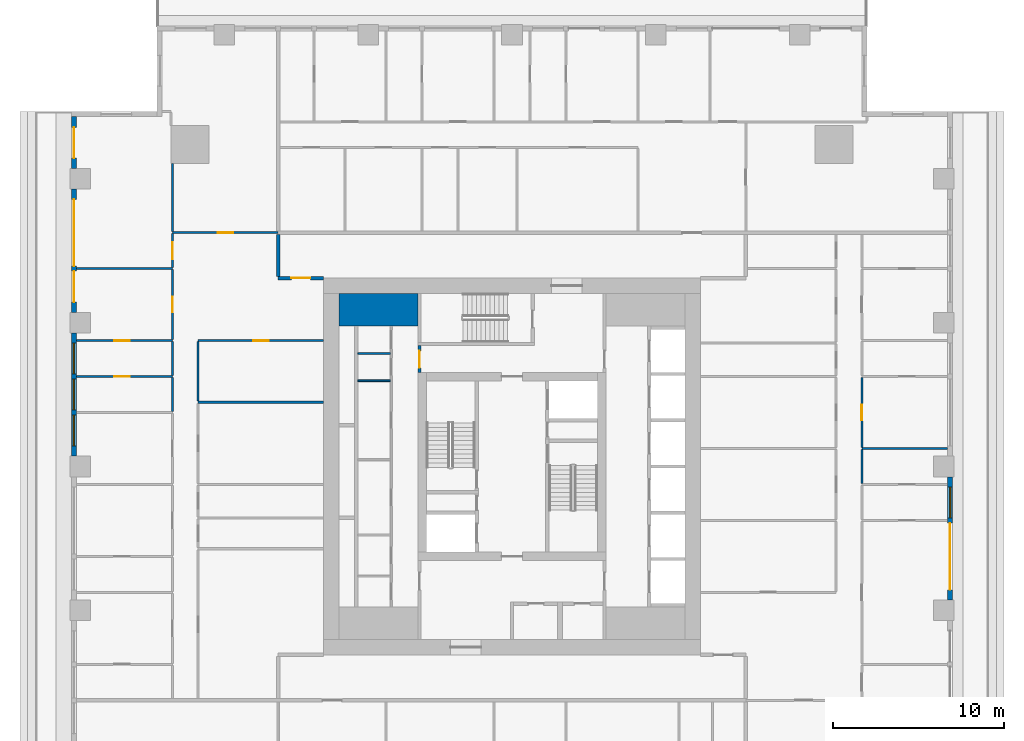
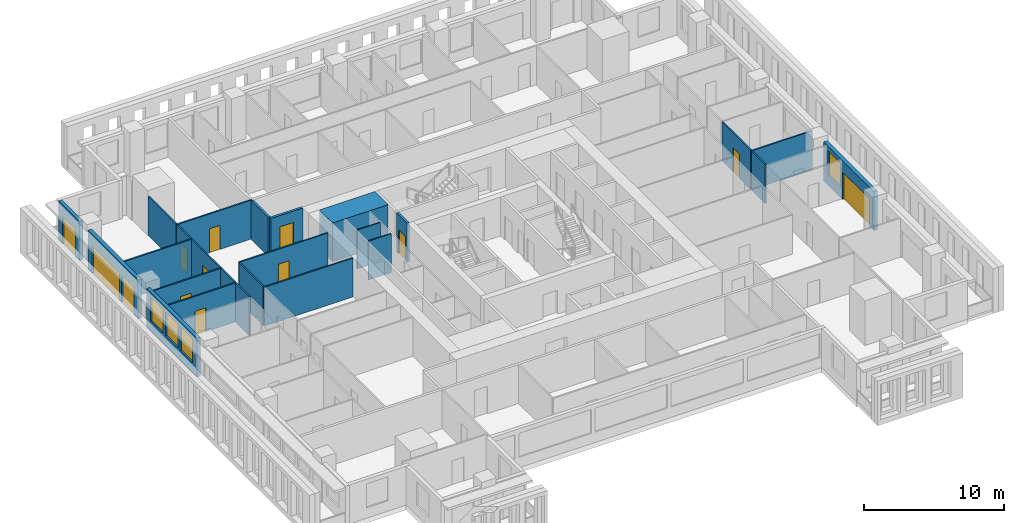
# One storey, part 6 of 14: 25 walls, 13 doors, 4 windows, 17 openings.
"""IFC4 building model written with IfcOpenShell, lengths in metres."""

import ifcopenshell
import ifcopenshell.guid

model = None  # the IFC model being written
_history = None  # IfcOwnerHistory: only IFC2X3 demands one
_inside = {}  # id of a spatial element -> (the spatial element, [elements in it])
_under = {}  # id of a project, library or spatial element -> (it, [spatial elements below it])
_declared = {}  # id of a project -> (the project, [libraries it declares])
_typed = {}  # id of a type object -> (the type object, [elements of that type])
_made_of = {}  # id of a material, layer set ... -> (it, [elements and type objects made of it])


def new_model(schema):
    """Start an empty IFC model of exactly this schema.

    Asked for "IFC4X3", IfcOpenShell would pick the latest addendum, in which some entities
    have other attributes; the version numbers below select the first issue.
    IFC2X3 requires an IfcOwnerHistory on every rooted entity: one is made here for all.
    """
    global model, _history
    if schema == "IFC4X3":
        model = ifcopenshell.file(schema_version=(4, 3, 0, 0))
    else:
        model = ifcopenshell.file(schema=schema)
    _inside.clear()
    _under.clear()
    _declared.clear()
    _typed.clear()
    _made_of.clear()
    _history = None
    if model.schema == "IFC2X3":
        org = make("IfcOrganization", Name="unknown")
        user = make(
            "IfcPersonAndOrganization",
            ThePerson=make("IfcPerson", FamilyName="unknown"),
            TheOrganization=org,
        )
        app = make(
            "IfcApplication",
            ApplicationDeveloper=org,
            Version="unknown",
            ApplicationFullName="unknown",
            ApplicationIdentifier="unknown",
        )
        _history = make(
            "IfcOwnerHistory",
            OwningUser=user,
            OwningApplication=app,
            ChangeAction="ADDED",
            CreationDate=0,
        )
    return model


def make(cls, **values):
    """One entity of the class cls with the attributes given. An attribute that is None is left unset."""
    return model.create_entity(
        cls, **{name: value for name, value in values.items() if value is not None}
    )


def rooted(cls, **values):
    """An entity with a GlobalId (a new one), such as an element, a storey or a relation."""
    return make(cls, GlobalId=ifcopenshell.guid.new(), OwnerHistory=_history, **values)


def si_unit(unit_type, name, prefix=None):
    """IfcSIUnit, for example si_unit("LENGTHUNIT", "METRE", prefix="MILLI")."""
    return make("IfcSIUnit", UnitType=unit_type, Prefix=prefix, Name=name)


def assignment(units):
    """IfcUnitAssignment: the units of a project."""
    return None if units is None else make("IfcUnitAssignment", Units=units)


def point(xyz):
    """IfcCartesianPoint."""
    return None if xyz is None else make("IfcCartesianPoint", Coordinates=xyz)


def direction(xyz):
    """IfcDirection."""
    return None if xyz is None else make("IfcDirection", DirectionRatios=xyz)


def frame(location, z_axis=None, x_axis=None):
    """IfcAxis2Placement3D, a coordinate frame: its origin and axes. An axis left out is left unset."""
    return make(
        "IfcAxis2Placement3D",
        Location=point(location),
        Axis=direction(z_axis),
        RefDirection=direction(x_axis),
    )


def frame_2d(location, x_axis=None):
    """IfcAxis2Placement2D, a coordinate frame in the plane: its origin and x axis."""
    return make(
        "IfcAxis2Placement2D", Location=point(location), RefDirection=direction(x_axis)
    )


def origin():
    """The frame at (0, 0, 0) with its axes left unset."""
    return frame((0.0, 0.0, 0.0))


def place(relative_to, where):
    """IfcLocalPlacement: puts the frame where relative to a parent placement (None: the world)."""
    return make(
        "IfcLocalPlacement", PlacementRelTo=relative_to, RelativePlacement=where
    )


def context(
    kind, dimensions, precision=None, world=None, true_north=None, identifier=None
):
    """IfcGeometricRepresentationContext, for example the 3D "Model" context."""
    return make(
        "IfcGeometricRepresentationContext",
        ContextIdentifier=identifier,
        ContextType=kind,
        CoordinateSpaceDimension=dimensions,
        Precision=precision,
        WorldCoordinateSystem=world,
        TrueNorth=true_north,
    )


def subcontext(parent, identifier, kind, view, scale=None):
    """IfcGeometricRepresentationSubContext, for example "Body" below "Model"."""
    return make(
        "IfcGeometricRepresentationSubContext",
        ContextIdentifier=identifier,
        ContextType=kind,
        ParentContext=parent,
        TargetScale=scale,
        TargetView=view,
    )


def project(units=None, contexts=None):
    """IfcProject with its units and contexts."""
    return rooted(
        "IfcProject",
        Name="project",
        RepresentationContexts=contexts,
        UnitsInContext=assignment(units),
    )


def spatial(cls, under=None, at=None, **own):
    """A site, building, storey or space (cls), placed at a placement, below another one or the project."""
    s = rooted(cls, ObjectPlacement=at, **own)
    if under is not None:
        _under.setdefault(under.id(), (under, []))[1].append(s)
    return s


def profile(cls, at=None, kind="AREA", **sizes):
    """A parametric profile (cls). Its sizes go by their IFC names, for example OverallWidth=200.0."""
    return make(cls, ProfileType=kind, Position=at, **sizes)


def rectangle(**sizes):
    """IfcRectangleProfileDef."""
    return profile("IfcRectangleProfileDef", **sizes)


def extrude(swept, where, along, depth):
    """IfcExtrudedAreaSolid: the profile swept, set in the frame where, extruded along a direction by depth."""
    return make(
        "IfcExtrudedAreaSolid",
        SweptArea=swept,
        Position=where,
        ExtrudedDirection=direction(along),
        Depth=depth,
    )


def shape(context_of_items, identifier, shape_type, items):
    """IfcShapeRepresentation: the items that make up one representation, for example the "Body"."""
    return make(
        "IfcShapeRepresentation",
        ContextOfItems=context_of_items,
        RepresentationIdentifier=identifier,
        RepresentationType=shape_type,
        Items=items,
    )


def material(Name=None, Category=None):
    """IfcMaterial."""
    return make("IfcMaterial", Name=Name, Category=Category)


def layer(
    of_material, thickness, ventilated=None, Name=None, Category=None, Priority=None
):
    """IfcMaterialLayer: one layer of a wall or slab, of a material (None: an air gap)."""
    return make(
        "IfcMaterialLayer",
        Material=of_material,
        LayerThickness=thickness,
        IsVentilated=ventilated,
        Name=Name,
        Category=Category,
        Priority=Priority,
    )


def layer_set(layers, Name=None):
    """IfcMaterialLayerSet."""
    return make("IfcMaterialLayerSet", MaterialLayers=layers, LayerSetName=Name)


def made_of(thing, what):
    """Note that an element or type object is made of a material, layer set ...; save() writes the relation."""
    if what is not None:
        _made_of.setdefault(what.id(), (what, []))[1].append(thing)
    return thing


def type_object(cls, material=None, **own):
    """A type object (cls), such as IfcWallType, which elements share."""
    return made_of(rooted(cls, **own), material)


def element(
    cls,
    number,
    at=None,
    inside=None,
    cuts=None,
    type_object=None,
    material=None,
    context=None,
    identifier="Body",
    shape_type=None,
    held_by="IfcProductDefinitionShape",
    body=None,
    shapes=None,
    **own,
):
    """One element of the class cls, such as IfcWall. Its Tag is "e" and its number.

    at: its placement. inside: the storey or other place that contains it. cuts: it is an
    opening in that element (IfcRelVoidsElement). A single representation is given by context,
    identifier, shape_type and body (its items); several are given by shapes. held_by: the class
    of the entity that holds the representations. save() writes the other relations.
    """
    e = rooted(cls, Tag="e%d" % number, ObjectPlacement=at, **own)
    if body is not None:
        shapes = [shape(context, identifier, shape_type, body)]
    if shapes is not None:
        e.Representation = make(held_by, Representations=shapes)
    if inside is not None:
        _inside.setdefault(inside.id(), (inside, []))[1].append(e)
    if cuts is not None:
        rooted(
            "IfcRelVoidsElement", RelatingBuildingElement=cuts, RelatedOpeningElement=e
        )
    if type_object is not None:
        _typed.setdefault(type_object.id(), (type_object, []))[1].append(e)
    return made_of(e, material)


def fill(opening, filler):
    """IfcRelFillsElement: the door or window that sits in an opening."""
    return rooted(
        "IfcRelFillsElement",
        RelatingOpeningElement=opening,
        RelatedBuildingElement=filler,
    )


def aggregate(whole, parts):
    """IfcRelAggregates: a whole, such as a stair, and the parts it consists of."""
    return rooted("IfcRelAggregates", RelatingObject=whole, RelatedObjects=parts)


def save(model, path):
    """Write the relations noted so far, then the file.

    IfcRelAggregates (storeys below a building ...), IfcRelContainedInSpatialStructure (elements
    in a storey), IfcRelDefinesByType, IfcRelAssociatesMaterial and IfcRelDeclares: one each for
    every whole, place, type object, material and project.
    """
    for whole, parts in _under.values():
        aggregate(whole, parts)
    for where, things in _inside.values():
        rooted(
            "IfcRelContainedInSpatialStructure",
            RelatedElements=things,
            RelatingStructure=where,
        )
    for kind, things in _typed.values():
        rooted("IfcRelDefinesByType", RelatedObjects=things, RelatingType=kind)
    for what, things in _made_of.values():
        rooted("IfcRelAssociatesMaterial", RelatedObjects=things, RelatingMaterial=what)
    for by, libraries in _declared.values():
        rooted("IfcRelDeclares", RelatingContext=by, RelatedDefinitions=libraries)
    model.write(path)


model = new_model("IFC4")

# Units and contexts
model_context = context("Model", 3, precision=1e-05, world=origin(), true_north=direction((0.0, 1.0)))
body_context = subcontext(model_context, "Body", "Model", "MODEL_VIEW")
ifc_project = project(units=[si_unit("LENGTHUNIT", "METRE"), si_unit("AREAUNIT", "SQUARE_METRE"), si_unit("VOLUMEUNIT", "CUBIC_METRE"), si_unit("PLANEANGLEUNIT", "RADIAN"), si_unit("MASSUNIT", "GRAM", prefix="KILO")], contexts=[model_context])

# Site, building, storey
site_placement = place(None, origin())
site = spatial("IfcSite", under=ifc_project, at=site_placement, CompositionType="ELEMENT")
building_placement = place(site_placement, origin())
building = spatial("IfcBuilding", under=site, at=building_placement, Name="Khepri Terraces", CompositionType="ELEMENT")
storey_placement = place(building_placement, frame((0.0, 0.0, 283.5)))
storey = spatial("IfcBuildingStorey", under=building, at=storey_placement, Name="L68", CompositionType="ELEMENT", Elevation=283.5)

# Walls
ifc_material_1 = material(Name="Concrete C40/50", Category="concrete")
ifc_layer_1 = layer(ifc_material_1, 1.89990234375, Name="Concrete C40/50", Category="concrete")
ifc_layer_set_1 = layer_set([ifc_layer_1], Name="Concrete C40/50")
wall_type_1 = type_object("IfcWallType", Name="Core wall 1900 C40/50", PredefinedType="SHEAR", material=ifc_layer_set_1)
wall_1_placement = place(storey_placement, frame((-10.10009765625, 9.14990234375, 0.0), z_axis=(0.0, 0.0, 1.0), x_axis=(1.0, 0.0, 0.0)))
element("IfcWall", 1, at=wall_1_placement, inside=storey, type_object=wall_type_1, Name="Core wall PR03 L68", PredefinedType="SHEAR", context=body_context, shape_type="SweptSolid", body=[
    extrude(rectangle(XDim=4.60009765625, YDim=1.89990234375, at=frame_2d((2.300048828125, 0.0))), origin(), (0.0, 0.0, 1.0), 3.39990234375),
])
ifc_material_2 = material(Name="Fire-rated gypsum board partition")
ifc_layer_2 = layer(ifc_material_2, 0.10009765625, Name="Fire-rated gypsum board partition")
ifc_layer_set_2 = layer_set([ifc_layer_2], Name="Fire-rated gypsum board partition")
wall_type_2 = type_object("IfcWallType", Name="WL-CORE-PART-100", PredefinedType="PARTITIONING", material=ifc_layer_set_2)
for number, where, z_axis, x_axis, name in (
    (2, (-9.0, 5.0, 0.0), (0.0, 0.0, 1.0), (1.0, 0.0, 0.0), "Core partition PT11 L68"),
    (3, (-9.0, 6.60009765625, 0.0), (0.0, 0.0, 1.0), (1.0, 0.0, 0.0), "Core partition PT14 L68"),
):
    element("IfcWall", number, at=place(storey_placement, frame(where, z_axis=z_axis, x_axis=x_axis)), inside=storey, type_object=wall_type_2, Name=name, PredefinedType="PARTITIONING", context=body_context, shape_type="SweptSolid", body=[
        extrude(rectangle(XDim=1.89990234375, YDim=0.10009765625, at=frame_2d((0.949951171875, 0.0))), origin(), (0.0, 0.0, 1.0), 3.39990234375),
    ])

# Wall, opening, door
ifc_layer_3 = layer(ifc_material_2, 0.199951171875, Name="Fire-rated gypsum board partition")
ifc_layer_set_3 = layer_set([ifc_layer_3], Name="Fire-rated gypsum board partition")
wall_type_3 = type_object("IfcWallType", Name="WL-CORE-PART-200", PredefinedType="PARTITIONING", material=ifc_layer_set_3)
wall_2_placement = place(storey_placement, frame((-5.39990234375, 5.5, 0.0), z_axis=(0.0, 0.0, 1.0), x_axis=(0.0, 1.0, 0.0)))
wall_2 = element("IfcWall", 4, at=wall_2_placement, inside=storey, type_object=wall_type_3, Name="Core partition PT12 L68", PredefinedType="PARTITIONING", context=body_context, shape_type="SweptSolid", body=[
    extrude(rectangle(XDim=1.550048828125, YDim=0.199951171875, at=frame_2d((0.77490234375, 0.0))), origin(), (0.0, 0.0, 1.0), 3.39990234375),
])
opening_1_placement = place(wall_2_placement, frame((0.25, 0.0, 0.0)))
opening_1 = element("IfcOpeningElement", 5, at=opening_1_placement, cuts=wall_2, Name="Opening L68-C16", PredefinedType="OPENING", context=body_context, shape_type="SweptSolid", body=[
    extrude(rectangle(XDim=1.0, YDim=2.10009765625, at=frame_2d((0.5, 1.050048828125))), frame((0.0, 0.10986328125, 0.0), z_axis=(0.0, -1.0, 0.0), x_axis=(1.0, 0.0, 0.0)), (0.0, 0.0, 1.0), 0.219970703125),
])
ifc_material_3 = material(Name="Painted steel", Category="steel")
door_type_1 = type_object("IfcDoorType", Name="DR-CORE-LOBBY-1000", OperationType="NOTDEFINED", PredefinedType="DOOR", material=ifc_material_3)
door_1_placement = place(opening_1_placement, frame((1.0, 0.0, 0.0), z_axis=(0.0, 0.0, 1.0), x_axis=(-1.0, 0.0, 0.0)))
door_1 = element("IfcDoor", 6, at=door_1_placement, inside=storey, type_object=door_type_1, Name="Lobby door L68-C16", OperationType="SINGLE_SWING_RIGHT", OverallHeight=2.10009765625, OverallWidth=1.0, PredefinedType="DOOR", context=body_context, shape_type="SweptSolid", body=[
    extrude(rectangle(XDim=1.0, YDim=2.10009765625, at=frame_2d((0.5, 1.050048828125))), frame((0.0, 0.02490234375, 0.0), z_axis=(0.0, -1.0, 0.0), x_axis=(1.0, 0.0, 0.0)), (0.0, 0.0, 1.0), 0.050048828125),
])
fill(opening_1, door_1)

ifc_material_4 = material(Name="Fire-rated gypsum plasterboard partition, mineral wool")
ifc_layer_4 = layer(ifc_material_4, 0.199951171875, Name="Fire-rated gypsum plasterboard partition, mineral wool")
ifc_layer_set_4 = layer_set([ifc_layer_4], Name="Fire-rated gypsum plasterboard partition, mineral wool")
wall_type_4 = type_object("IfcWallType", Name="WL-CORR-200", PredefinedType="PARTITIONING", material=ifc_layer_set_4)
wall_3_placement = place(storey_placement, frame((-13.64990234375, 11.0, 0.0), z_axis=(0.0, 0.0, 1.0), x_axis=(1.0, 0.0, 0.0)))
wall_3 = element("IfcWall", 7, at=wall_3_placement, inside=storey, type_object=wall_type_4, Name="Partition P-068 L68", PredefinedType="PARTITIONING", context=body_context, shape_type="SweptSolid", body=[
    extrude(rectangle(XDim=2.64990234375, YDim=0.199951171875, at=frame_2d((1.324951171875, 0.0))), origin(), (0.0, 0.0, 1.0), 3.39990234375),
])
opening_2_placement = place(wall_3_placement, frame((0.77490234375, 0.0, 0.0)))
opening_2 = element("IfcOpeningElement", 8, at=opening_2_placement, cuts=wall_3, Name="Opening D1", PredefinedType="OPENING", context=body_context, shape_type="SweptSolid", body=[
    extrude(rectangle(XDim=1.10009765625, YDim=2.39990234375, at=frame_2d((0.550048828125, 1.199951171875))), frame((0.0, 0.10986328125, 0.0), z_axis=(0.0, -1.0, 0.0), x_axis=(1.0, 0.0, 0.0)), (0.0, 0.0, 1.0), 0.219970703125),
])
ifc_material_5 = material(Name="Solid-core timber door leaf, flat entrance door", Category="wood")
door_type_2 = type_object("IfcDoorType", Name="DR-ENT-1100", OperationType="NOTDEFINED", PredefinedType="DOOR", material=ifc_material_5)
door_2_placement = place(opening_2_placement, frame((1.10009765625, 0.0, 0.0), z_axis=(0.0, 0.0, 1.0), x_axis=(-1.0, 0.0, 0.0)))
door_2 = element("IfcDoor", 9, at=door_2_placement, inside=storey, type_object=door_type_2, Name="Flat D1 entrance door", OperationType="SINGLE_SWING_LEFT", OverallHeight=2.39990234375, OverallWidth=1.10009765625, PredefinedType="DOOR", context=body_context, shape_type="SweptSolid", body=[
    extrude(rectangle(XDim=1.10009765625, YDim=2.39990234375, at=frame_2d((0.550048828125, 1.199951171875))), frame((0.0, 0.02490234375, 0.0), z_axis=(0.0, -1.0, 0.0), x_axis=(1.0, 0.0, 0.0)), (0.0, 0.0, 1.0), 0.050048828125),
])
fill(opening_2, door_2)

# Wall
wall_4_placement = place(storey_placement, frame((-13.64990234375, 11.10009765625, 0.0), z_axis=(0.0, 0.0, 1.0), x_axis=(0.0, 1.0, 0.0)))
element("IfcWall", 10, at=wall_4_placement, inside=storey, type_object=wall_type_4, Name="Partition P-070 L68", PredefinedType="PARTITIONING", context=body_context, shape_type="SweptSolid", body=[
    extrude(rectangle(XDim=2.449951171875, YDim=0.199951171875, at=frame_2d((1.22509765625, 0.0))), origin(), (0.0, 0.0, 1.0), 3.39990234375),
])

# Wall, openings, door, window
ifc_material_6 = material(Name="Precast concrete C50/60 warm stone", Category="masonry")
ifc_layer_5 = layer(ifc_material_6, 0.300048828125, Name="Precast concrete C50/60 warm stone", Category="masonry")
ifc_layer_set_5 = layer_set([ifc_layer_5], Name="Precast concrete C50/60 warm stone")
wall_type_5 = type_object("IfcWallType", Name="WL-EXT-PRECAST-300", PredefinedType="STANDARD", material=ifc_layer_set_5)
wall_5_placement = place(storey_placement, frame((25.570068359375, -7.800048828125, 0.0), z_axis=(0.0, 0.0, 1.0), x_axis=(0.0, 1.0, 0.0)))
wall_5 = element("IfcWall", 11, at=wall_5_placement, inside=storey, type_object=wall_type_5, Name="External wall L68 E", PredefinedType="STANDARD", context=body_context, shape_type="SweptSolid", body=[
    extrude(rectangle(XDim=7.199951171875, YDim=0.300048828125, at=frame_2d((3.60009765625, 0.0))), origin(), (0.0, 0.0, 1.0), 3.39990234375),
])
opening_3_placement = place(wall_5_placement, frame((0.60009765625, 0.0, 0.0)))
opening_3 = element("IfcOpeningElement", 12, at=opening_3_placement, cuts=wall_5, Name="Opening ED-L68-04", PredefinedType="OPENING", context=body_context, shape_type="SweptSolid", body=[
    extrude(rectangle(XDim=3.89990234375, YDim=2.39990234375, at=frame_2d((1.949951171875, 1.199951171875))), frame((0.0, 0.16015625, 0.0), z_axis=(0.0, -1.0, 0.0), x_axis=(1.0, 0.0, 0.0)), (0.0, 0.0, 1.0), 0.320068359375),
])
opening_4_placement = place(wall_5_placement, frame((4.800048828125, 0.0, 0.89990234375)))
opening_4 = element("IfcOpeningElement", 13, at=opening_4_placement, cuts=wall_5, Name="Opening W1", PredefinedType="OPENING", context=body_context, shape_type="SweptSolid", body=[
    extrude(rectangle(XDim=1.800048828125, YDim=2.10009765625, at=frame_2d((0.89990234375, 1.050048828125))), frame((0.0, 0.16015625, 0.0), z_axis=(0.0, -1.0, 0.0), x_axis=(1.0, 0.0, 0.0)), (0.0, 0.0, 1.0), 0.320068359375),
])
ifc_material_7 = material(Name="Anodised aluminium bronze glazed door", Category="aluminium")
door_type_3 = type_object("IfcDoorType", Name="DR-BAL-SLIDE-3900x2400", OperationType="NOTDEFINED", PredefinedType="DOOR", material=ifc_material_7)
door_3_placement = place(opening_3_placement, origin())
door_3 = element("IfcDoor", 14, at=door_3_placement, inside=storey, type_object=door_type_3, Name="Balcony door L68 E", OperationType="SLIDING_TO_LEFT", OverallHeight=2.39990234375, OverallWidth=3.89990234375, PredefinedType="DOOR", context=body_context, shape_type="SweptSolid", body=[
    extrude(rectangle(XDim=3.89990234375, YDim=2.39990234375, at=frame_2d((1.949951171875, 1.199951171875))), frame((0.0, 0.02490234375, 0.0), z_axis=(0.0, -1.0, 0.0), x_axis=(1.0, 0.0, 0.0)), (0.0, 0.0, 1.0), 0.050048828125),
])
fill(opening_3, door_3)
ifc_material_8 = material(Name="Clear glass", Category="glass")
window_type = type_object("IfcWindowType", Name="WIN-RES-1800x2100", PartitioningType="SINGLE_PANEL", PredefinedType="WINDOW", material=ifc_material_8)
window_1_placement = place(opening_4_placement, origin())
window_1 = element("IfcWindow", 15, at=window_1_placement, inside=storey, type_object=window_type, Name="Window L68 E", OverallHeight=2.10009765625, OverallWidth=1.800048828125, PartitioningType="SINGLE_PANEL", PredefinedType="WINDOW", context=body_context, shape_type="SweptSolid", body=[
    extrude(rectangle(XDim=1.800048828125, YDim=2.10009765625, at=frame_2d((0.89990234375, 1.050048828125))), frame((0.0, 0.030029296875, 0.0), z_axis=(0.0, -1.0, 0.0), x_axis=(1.0, 0.0, 0.0)), (0.0, 0.0, 1.0), 0.06005859375),
])
fill(opening_4, window_1)

# Wall, opening, door
wall_6_placement = place(storey_placement, frame((-25.570068359375, 20.419921875, 0.0), z_axis=(0.0, 0.0, 1.0), x_axis=(0.0, -1.0, 0.0)))
wall_6 = element("IfcWall", 16, at=wall_6_placement, inside=storey, type_object=wall_type_5, Name="External wall L68 W", PredefinedType="STANDARD", context=body_context, shape_type="SweptSolid", body=[
    extrude(rectangle(XDim=3.02001953125, YDim=0.300048828125, at=frame_2d((1.510009765625, 0.0))), origin(), (0.0, 0.0, 1.0), 3.39990234375),
])
opening_5_placement = place(wall_6_placement, frame((0.6201171875, 0.0, 0.0)))
opening_5 = element("IfcOpeningElement", 17, at=opening_5_placement, cuts=wall_6, Name="Opening ED-L68-08", PredefinedType="OPENING", context=body_context, shape_type="SweptSolid", body=[
    extrude(rectangle(XDim=1.800048828125, YDim=2.39990234375, at=frame_2d((0.89990234375, 1.199951171875))), frame((0.0, 0.16015625, 0.0), z_axis=(0.0, -1.0, 0.0), x_axis=(1.0, 0.0, 0.0)), (0.0, 0.0, 1.0), 0.320068359375),
])
door_type_4 = type_object("IfcDoorType", Name="DR-BAL-SLIDE-1800x2400", OperationType="NOTDEFINED", PredefinedType="DOOR", material=ifc_material_7)
door_4_placement = place(opening_5_placement, origin())
door_4 = element("IfcDoor", 18, at=door_4_placement, inside=storey, type_object=door_type_4, Name="Balcony door L68 W", OperationType="SLIDING_TO_RIGHT", OverallHeight=2.39990234375, OverallWidth=1.800048828125, PredefinedType="DOOR", context=body_context, shape_type="SweptSolid", body=[
    extrude(rectangle(XDim=1.800048828125, YDim=2.39990234375, at=frame_2d((0.89990234375, 1.199951171875))), frame((0.0, 0.02490234375, 0.0), z_axis=(0.0, -1.0, 0.0), x_axis=(1.0, 0.0, 0.0)), (0.0, 0.0, 1.0), 0.050048828125),
])
fill(opening_5, door_4)

# Wall, openings, doors
wall_7_placement = place(storey_placement, frame((-25.570068359375, 16.199951171875, 0.0), z_axis=(0.0, 0.0, 1.0), x_axis=(0.0, -1.0, 0.0)))
wall_7 = element("IfcWall", 19, at=wall_7_placement, inside=storey, type_object=wall_type_5, Name="External wall L68 W", PredefinedType="STANDARD", context=body_context, shape_type="SweptSolid", body=[
    extrude(rectangle(XDim=7.199951171875, YDim=0.300048828125, at=frame_2d((3.60009765625, 0.0))), origin(), (0.0, 0.0, 1.0), 3.39990234375),
])
opening_6_placement = place(wall_7_placement, frame((0.60009765625, 0.0, 0.0)))
opening_6 = element("IfcOpeningElement", 20, at=opening_6_placement, cuts=wall_7, Name="Opening ED-L68-09", PredefinedType="OPENING", context=body_context, shape_type="SweptSolid", body=[
    extrude(rectangle(XDim=3.89990234375, YDim=2.39990234375, at=frame_2d((1.949951171875, 1.199951171875))), frame((0.0, 0.16015625, 0.0), z_axis=(0.0, -1.0, 0.0), x_axis=(1.0, 0.0, 0.0)), (0.0, 0.0, 1.0), 0.320068359375),
])
opening_7_placement = place(wall_7_placement, frame((4.800048828125, 0.0, 0.0)))
opening_7 = element("IfcOpeningElement", 21, at=opening_7_placement, cuts=wall_7, Name="Opening ED-L68-10", PredefinedType="OPENING", context=body_context, shape_type="SweptSolid", body=[
    extrude(rectangle(XDim=1.800048828125, YDim=2.39990234375, at=frame_2d((0.89990234375, 1.199951171875))), frame((0.0, 0.16015625, 0.0), z_axis=(0.0, -1.0, 0.0), x_axis=(1.0, 0.0, 0.0)), (0.0, 0.0, 1.0), 0.320068359375),
])
door_5_placement = place(opening_7_placement, origin())
door_5 = element("IfcDoor", 22, at=door_5_placement, inside=storey, type_object=door_type_4, Name="Balcony door L68 W", OperationType="SLIDING_TO_RIGHT", OverallHeight=2.39990234375, OverallWidth=1.800048828125, PredefinedType="DOOR", context=body_context, shape_type="SweptSolid", body=[
    extrude(rectangle(XDim=1.800048828125, YDim=2.39990234375, at=frame_2d((0.89990234375, 1.199951171875))), frame((0.0, 0.02490234375, 0.0), z_axis=(0.0, -1.0, 0.0), x_axis=(1.0, 0.0, 0.0)), (0.0, 0.0, 1.0), 0.050048828125),
])
fill(opening_7, door_5)
door_6_placement = place(opening_6_placement, origin())
door_6 = element("IfcDoor", 23, at=door_6_placement, inside=storey, type_object=door_type_3, Name="Balcony door L68 W", OperationType="SLIDING_TO_LEFT", OverallHeight=2.39990234375, OverallWidth=3.89990234375, PredefinedType="DOOR", context=body_context, shape_type="SweptSolid", body=[
    extrude(rectangle(XDim=3.89990234375, YDim=2.39990234375, at=frame_2d((1.949951171875, 1.199951171875))), frame((0.0, 0.02490234375, 0.0), z_axis=(0.0, -1.0, 0.0), x_axis=(1.0, 0.0, 0.0)), (0.0, 0.0, 1.0), 0.050048828125),
])
fill(opening_6, door_6)

# Wall, openings, windows
wall_8_placement = place(storey_placement, frame((-25.570068359375, 7.800048828125, 0.0), z_axis=(0.0, 0.0, 1.0), x_axis=(0.0, -1.0, 0.0)))
wall_8 = element("IfcWall", 24, at=wall_8_placement, inside=storey, type_object=wall_type_5, Name="External wall L68 W", PredefinedType="STANDARD", context=body_context, shape_type="SweptSolid", body=[
    extrude(rectangle(XDim=7.199951171875, YDim=0.300048828125, at=frame_2d((3.60009765625, 0.0))), origin(), (0.0, 0.0, 1.0), 3.39990234375),
])
opening_8_placement = place(wall_8_placement, frame((0.60009765625, 0.0, 0.89990234375)))
opening_8 = element("IfcOpeningElement", 25, at=opening_8_placement, cuts=wall_8, Name="Opening W1", PredefinedType="OPENING", context=body_context, shape_type="SweptSolid", body=[
    extrude(rectangle(XDim=1.800048828125, YDim=2.10009765625, at=frame_2d((0.89990234375, 1.050048828125))), frame((0.0, 0.16015625, 0.0), z_axis=(0.0, -1.0, 0.0), x_axis=(1.0, 0.0, 0.0)), (0.0, 0.0, 1.0), 0.320068359375),
])
opening_9_placement = place(wall_8_placement, frame((2.699951171875, 0.0, 0.89990234375)))
opening_9 = element("IfcOpeningElement", 26, at=opening_9_placement, cuts=wall_8, Name="Opening W1", PredefinedType="OPENING", context=body_context, shape_type="SweptSolid", body=[
    extrude(rectangle(XDim=1.800048828125, YDim=2.10009765625, at=frame_2d((0.89990234375, 1.050048828125))), frame((0.0, 0.16015625, 0.0), z_axis=(0.0, -1.0, 0.0), x_axis=(1.0, 0.0, 0.0)), (0.0, 0.0, 1.0), 0.320068359375),
])
opening_10_placement = place(wall_8_placement, frame((4.800048828125, 0.0, 0.89990234375)))
opening_10 = element("IfcOpeningElement", 27, at=opening_10_placement, cuts=wall_8, Name="Opening W1", PredefinedType="OPENING", context=body_context, shape_type="SweptSolid", body=[
    extrude(rectangle(XDim=1.800048828125, YDim=2.10009765625, at=frame_2d((0.89990234375, 1.050048828125))), frame((0.0, 0.16015625, 0.0), z_axis=(0.0, -1.0, 0.0), x_axis=(1.0, 0.0, 0.0)), (0.0, 0.0, 1.0), 0.320068359375),
])
window_2_placement = place(opening_8_placement, origin())
window_2 = element("IfcWindow", 28, at=window_2_placement, inside=storey, type_object=window_type, Name="Window L68 W", OverallHeight=2.10009765625, OverallWidth=1.800048828125, PartitioningType="SINGLE_PANEL", PredefinedType="WINDOW", context=body_context, shape_type="SweptSolid", body=[
    extrude(rectangle(XDim=1.800048828125, YDim=2.10009765625, at=frame_2d((0.89990234375, 1.050048828125))), frame((0.0, 0.030029296875, 0.0), z_axis=(0.0, -1.0, 0.0), x_axis=(1.0, 0.0, 0.0)), (0.0, 0.0, 1.0), 0.06005859375),
])
fill(opening_8, window_2)
window_3_placement = place(opening_9_placement, origin())
window_3 = element("IfcWindow", 29, at=window_3_placement, inside=storey, type_object=window_type, Name="Window L68 W", OverallHeight=2.10009765625, OverallWidth=1.800048828125, PartitioningType="SINGLE_PANEL", PredefinedType="WINDOW", context=body_context, shape_type="SweptSolid", body=[
    extrude(rectangle(XDim=1.800048828125, YDim=2.10009765625, at=frame_2d((0.89990234375, 1.050048828125))), frame((0.0, 0.030029296875, 0.0), z_axis=(0.0, -1.0, 0.0), x_axis=(1.0, 0.0, 0.0)), (0.0, 0.0, 1.0), 0.06005859375),
])
fill(opening_9, window_3)
window_4_placement = place(opening_10_placement, origin())
window_4 = element("IfcWindow", 30, at=window_4_placement, inside=storey, type_object=window_type, Name="Window L68 W", OverallHeight=2.10009765625, OverallWidth=1.800048828125, PartitioningType="SINGLE_PANEL", PredefinedType="WINDOW", context=body_context, shape_type="SweptSolid", body=[
    extrude(rectangle(XDim=1.800048828125, YDim=2.10009765625, at=frame_2d((0.89990234375, 1.050048828125))), frame((0.0, 0.030029296875, 0.0), z_axis=(0.0, -1.0, 0.0), x_axis=(1.0, 0.0, 0.0)), (0.0, 0.0, 1.0), 0.06005859375),
])
fill(opening_10, window_4)

# Walls
ifc_material_9 = material(Name="Gypsum plasterboard partition")
ifc_layer_6 = layer(ifc_material_9, 0.1201171875, Name="Gypsum plasterboard partition")
ifc_layer_set_6 = layer_set([ifc_layer_6], Name="Gypsum plasterboard partition")
wall_type_6 = type_object("IfcWallType", Name="WL-PART-120", PredefinedType="PARTITIONING", material=ifc_layer_set_6)
wall_9_placement = place(storey_placement, frame((20.419921875, -0.989990234375, 0.0), z_axis=(0.0, 0.0, 1.0), x_axis=(0.0, 1.0, 0.0)))
element("IfcWall", 31, at=wall_9_placement, inside=storey, type_object=wall_type_6, Name="Partition P-046 L68", PredefinedType="PARTITIONING", context=body_context, shape_type="SweptSolid", body=[
    extrude(rectangle(XDim=1.97998046875, YDim=0.1201171875, at=frame_2d((0.989990234375, 0.0))), origin(), (0.0, 0.0, 1.0), 3.39990234375),
])
wall_10_placement = place(storey_placement, frame((20.419921875, 1.050048828125, 0.0), z_axis=(0.0, 0.0, 1.0), x_axis=(1.0, 0.0, 0.0)))
element("IfcWall", 32, at=wall_10_placement, inside=storey, type_object=wall_type_6, Name="Partition P-048 L68", PredefinedType="PARTITIONING", context=body_context, shape_type="SweptSolid", body=[
    extrude(rectangle(XDim=5.0, YDim=0.1201171875, at=frame_2d((2.5, 0.0))), origin(), (0.0, 0.0, 1.0), 3.39990234375),
])

# Wall, opening, door
wall_11_placement = place(storey_placement, frame((20.419921875, 1.110107421875, 0.0), z_axis=(0.0, 0.0, 1.0), x_axis=(0.0, 1.0, 0.0)))
wall_11 = element("IfcWall", 33, at=wall_11_placement, inside=storey, type_object=wall_type_6, Name="Partition P-050 L68", PredefinedType="PARTITIONING", context=body_context, shape_type="SweptSolid", body=[
    extrude(rectangle(XDim=4.079833984375, YDim=0.1201171875, at=frame_2d((2.0400390625, 0.0))), origin(), (0.0, 0.0, 1.0), 3.39990234375),
])
opening_11_placement = place(wall_11_placement, frame((1.590087890625, 0.0, 0.0)))
opening_11 = element("IfcOpeningElement", 34, at=opening_11_placement, cuts=wall_11, Name="Opening D3", PredefinedType="OPENING", context=body_context, shape_type="SweptSolid", body=[
    extrude(rectangle(XDim=0.89990234375, YDim=2.10009765625, at=frame_2d((0.449951171875, 1.050048828125))), frame((0.0, 0.070068359375, 0.0), z_axis=(0.0, -1.0, 0.0), x_axis=(1.0, 0.0, 0.0)), (0.0, 0.0, 1.0), 0.14013671875),
])
ifc_material_10 = material(Name="Timber door leaf", Category="wood")
door_type_5 = type_object("IfcDoorType", Name="DR-INT-900", OperationType="NOTDEFINED", PredefinedType="DOOR", material=ifc_material_10)
door_7_placement = place(opening_11_placement, frame((0.89990234375, 0.0, 0.0), z_axis=(0.0, 0.0, 1.0), x_axis=(-1.0, 0.0, 0.0)))
door_7 = element("IfcDoor", 35, at=door_7_placement, inside=storey, type_object=door_type_5, Name="Door Bedroom", OperationType="SINGLE_SWING_LEFT", OverallHeight=2.10009765625, OverallWidth=0.89990234375, PredefinedType="DOOR", context=body_context, shape_type="SweptSolid", body=[
    extrude(rectangle(XDim=0.89990234375, YDim=2.10009765625, at=frame_2d((0.449951171875, 1.050048828125))), frame((0.0, 0.02490234375, 0.0), z_axis=(0.0, -1.0, 0.0), x_axis=(1.0, 0.0, 0.0)), (0.0, 0.0, 1.0), 0.050048828125),
])
fill(opening_11, door_7)

# Walls
wall_12_placement = place(storey_placement, frame((-19.820068359375, 3.2099609375, 0.0), z_axis=(0.0, 0.0, 1.0), x_axis=(0.0, 1.0, 0.0)))
element("IfcWall", 36, at=wall_12_placement, inside=storey, type_object=wall_type_6, Name="Partition P-052 L68", PredefinedType="PARTITIONING", context=body_context, shape_type="SweptSolid", body=[
    extrude(rectangle(XDim=1.97998046875, YDim=0.1201171875, at=frame_2d((0.989990234375, 0.0))), origin(), (0.0, 0.0, 1.0), 3.39990234375),
])
wall_13_placement = place(storey_placement, frame((-18.320068359375, 3.75, 0.0), z_axis=(0.0, 0.0, 1.0), x_axis=(1.0, 0.0, 0.0)))
element("IfcWall", 37, at=wall_13_placement, inside=storey, type_object=wall_type_6, Name="Partition P-053 L68", PredefinedType="PARTITIONING", context=body_context, shape_type="SweptSolid", body=[
    extrude(rectangle(XDim=7.320068359375, YDim=0.1201171875, at=frame_2d((3.66015625, 0.0))), origin(), (0.0, 0.0, 1.0), 3.39990234375),
])
wall_14_placement = place(storey_placement, frame((-18.320068359375, 3.81005859375, 0.0), z_axis=(0.0, 0.0, 1.0), x_axis=(0.0, 1.0, 0.0)))
element("IfcWall", 38, at=wall_14_placement, inside=storey, type_object=wall_type_6, Name="Partition P-054 L68", PredefinedType="PARTITIONING", context=body_context, shape_type="SweptSolid", body=[
    extrude(rectangle(XDim=3.47998046875, YDim=0.1201171875, at=frame_2d((1.739990234375, 0.0))), origin(), (0.0, 0.0, 1.0), 3.39990234375),
])

# Wall, opening, door
wall_15_placement = place(storey_placement, frame((-25.419921875, 5.25, 0.0), z_axis=(0.0, 0.0, 1.0), x_axis=(1.0, 0.0, 0.0)))
wall_15 = element("IfcWall", 39, at=wall_15_placement, inside=storey, type_object=wall_type_6, Name="Partition P-055 L68", PredefinedType="PARTITIONING", context=body_context, shape_type="SweptSolid", body=[
    extrude(rectangle(XDim=5.599853515625, YDim=0.1201171875, at=frame_2d((2.7998046875, 0.0))), origin(), (0.0, 0.0, 1.0), 3.39990234375),
])
opening_12_placement = place(wall_15_placement, frame((2.199951171875, 0.0, 0.0)))
opening_12 = element("IfcOpeningElement", 40, at=opening_12_placement, cuts=wall_15, Name="Opening D4", PredefinedType="OPENING", context=body_context, shape_type="SweptSolid", body=[
    extrude(rectangle(XDim=0.89990234375, YDim=2.10009765625, at=frame_2d((0.449951171875, 1.050048828125))), frame((0.0, 0.070068359375, 0.0), z_axis=(0.0, -1.0, 0.0), x_axis=(1.0, 0.0, 0.0)), (0.0, 0.0, 1.0), 0.14013671875),
])
ifc_material_11 = material(Name="Timber door leaf, moisture resistant", Category="wood")
door_type_6 = type_object("IfcDoorType", Name="DR-WET-900", OperationType="NOTDEFINED", PredefinedType="DOOR", material=ifc_material_11)
door_8_placement = place(opening_12_placement, frame((0.89990234375, 0.0, 0.0), z_axis=(0.0, 0.0, 1.0), x_axis=(-1.0, 0.0, 0.0)))
door_8 = element("IfcDoor", 41, at=door_8_placement, inside=storey, type_object=door_type_6, Name="Door Bathroom", OperationType="SINGLE_SWING_RIGHT", OverallHeight=2.10009765625, OverallWidth=0.89990234375, PredefinedType="DOOR", context=body_context, shape_type="SweptSolid", body=[
    extrude(rectangle(XDim=0.89990234375, YDim=2.10009765625, at=frame_2d((0.449951171875, 1.050048828125))), frame((0.0, 0.02490234375, 0.0), z_axis=(0.0, -1.0, 0.0), x_axis=(1.0, 0.0, 0.0)), (0.0, 0.0, 1.0), 0.050048828125),
])
fill(opening_12, door_8)

# Wall
wall_16_placement = place(storey_placement, frame((-19.820068359375, 5.31005859375, 0.0), z_axis=(0.0, 0.0, 1.0), x_axis=(0.0, 1.0, 0.0)))
element("IfcWall", 42, at=wall_16_placement, inside=storey, type_object=wall_type_6, Name="Partition P-058 L68", PredefinedType="PARTITIONING", context=body_context, shape_type="SweptSolid", body=[
    extrude(rectangle(XDim=1.97998046875, YDim=0.1201171875, at=frame_2d((0.989990234375, 0.0))), origin(), (0.0, 0.0, 1.0), 3.39990234375),
])

# Wall, opening, door
wall_17_placement = place(storey_placement, frame((-25.419921875, 7.35009765625, 0.0), z_axis=(0.0, 0.0, 1.0), x_axis=(1.0, 0.0, 0.0)))
wall_17 = element("IfcWall", 43, at=wall_17_placement, inside=storey, type_object=wall_type_6, Name="Partition P-063 L68", PredefinedType="PARTITIONING", context=body_context, shape_type="SweptSolid", body=[
    extrude(rectangle(XDim=5.599853515625, YDim=0.1201171875, at=frame_2d((2.7998046875, 0.0))), origin(), (0.0, 0.0, 1.0), 3.39990234375),
])
opening_13_placement = place(wall_17_placement, frame((2.199951171875, 0.0, 0.0)))
opening_13 = element("IfcOpeningElement", 44, at=opening_13_placement, cuts=wall_17, Name="Opening D3", PredefinedType="OPENING", context=body_context, shape_type="SweptSolid", body=[
    extrude(rectangle(XDim=0.89990234375, YDim=2.10009765625, at=frame_2d((0.449951171875, 1.050048828125))), frame((0.0, 0.070068359375, 0.0), z_axis=(0.0, -1.0, 0.0), x_axis=(1.0, 0.0, 0.0)), (0.0, 0.0, 1.0), 0.14013671875),
])
door_9_placement = place(opening_13_placement, frame((0.89990234375, 0.0, 0.0), z_axis=(0.0, 0.0, 1.0), x_axis=(-1.0, 0.0, 0.0)))
door_9 = element("IfcDoor", 45, at=door_9_placement, inside=storey, type_object=door_type_5, Name="Door Dressing Room", OperationType="SINGLE_SWING_RIGHT", OverallHeight=2.10009765625, OverallWidth=0.89990234375, PredefinedType="DOOR", context=body_context, shape_type="SweptSolid", body=[
    extrude(rectangle(XDim=0.89990234375, YDim=2.10009765625, at=frame_2d((0.449951171875, 1.050048828125))), frame((0.0, 0.02490234375, 0.0), z_axis=(0.0, -1.0, 0.0), x_axis=(1.0, 0.0, 0.0)), (0.0, 0.0, 1.0), 0.050048828125),
])
fill(opening_13, door_9)

wall_18_placement = place(storey_placement, frame((-18.320068359375, 7.35009765625, 0.0), z_axis=(0.0, 0.0, 1.0), x_axis=(1.0, 0.0, 0.0)))
wall_18 = element("IfcWall", 46, at=wall_18_placement, inside=storey, type_object=wall_type_6, Name="Partition P-064 L68", PredefinedType="PARTITIONING", context=body_context, shape_type="SweptSolid", body=[
    extrude(rectangle(XDim=7.320068359375, YDim=0.1201171875, at=frame_2d((3.66015625, 0.0))), origin(), (0.0, 0.0, 1.0), 3.39990234375),
])
opening_14_placement = place(wall_18_placement, frame((3.2099609375, 0.0, 0.0)))
opening_14 = element("IfcOpeningElement", 47, at=opening_14_placement, cuts=wall_18, Name="Opening D3", PredefinedType="OPENING", context=body_context, shape_type="SweptSolid", body=[
    extrude(rectangle(XDim=0.89990234375, YDim=2.10009765625, at=frame_2d((0.449951171875, 1.050048828125))), frame((0.0, 0.070068359375, 0.0), z_axis=(0.0, -1.0, 0.0), x_axis=(1.0, 0.0, 0.0)), (0.0, 0.0, 1.0), 0.14013671875),
])
door_10_placement = place(opening_14_placement, frame((0.89990234375, 0.0, 0.0), z_axis=(0.0, 0.0, 1.0), x_axis=(-1.0, 0.0, 0.0)))
door_10 = element("IfcDoor", 48, at=door_10_placement, inside=storey, type_object=door_type_5, Name="Door Kitchen", OperationType="SINGLE_SWING_LEFT", OverallHeight=2.10009765625, OverallWidth=0.89990234375, PredefinedType="DOOR", context=body_context, shape_type="SweptSolid", body=[
    extrude(rectangle(XDim=0.89990234375, YDim=2.10009765625, at=frame_2d((0.449951171875, 1.050048828125))), frame((0.0, 0.02490234375, 0.0), z_axis=(0.0, -1.0, 0.0), x_axis=(1.0, 0.0, 0.0)), (0.0, 0.0, 1.0), 0.050048828125),
])
fill(opening_14, door_10)

wall_19_placement = place(storey_placement, frame((-19.820068359375, 7.409912109375, 0.0), z_axis=(0.0, 0.0, 1.0), x_axis=(0.0, 1.0, 0.0)))
wall_19 = element("IfcWall", 49, at=wall_19_placement, inside=storey, type_object=wall_type_6, Name="Partition P-066 L68", PredefinedType="PARTITIONING", context=body_context, shape_type="SweptSolid", body=[
    extrude(rectangle(XDim=4.080078125, YDim=0.1201171875, at=frame_2d((2.0400390625, 0.0))), origin(), (0.0, 0.0, 1.0), 3.39990234375),
])
opening_15_placement = place(wall_19_placement, frame((1.590087890625, 0.0, 0.0)))
opening_15 = element("IfcOpeningElement", 50, at=opening_15_placement, cuts=wall_19, Name="Opening D3", PredefinedType="OPENING", context=body_context, shape_type="SweptSolid", body=[
    extrude(rectangle(XDim=0.89990234375, YDim=2.10009765625, at=frame_2d((0.449951171875, 1.050048828125))), frame((0.0, 0.070068359375, 0.0), z_axis=(0.0, -1.0, 0.0), x_axis=(1.0, 0.0, 0.0)), (0.0, 0.0, 1.0), 0.14013671875),
])
door_11_placement = place(opening_15_placement, origin())
door_11 = element("IfcDoor", 51, at=door_11_placement, inside=storey, type_object=door_type_5, Name="Door Master Bedroom", OperationType="SINGLE_SWING_LEFT", OverallHeight=2.10009765625, OverallWidth=0.89990234375, PredefinedType="DOOR", context=body_context, shape_type="SweptSolid", body=[
    extrude(rectangle(XDim=0.89990234375, YDim=2.10009765625, at=frame_2d((0.449951171875, 1.050048828125))), frame((0.0, 0.02490234375, 0.0), z_axis=(0.0, -1.0, 0.0), x_axis=(1.0, 0.0, 0.0)), (0.0, 0.0, 1.0), 0.050048828125),
])
fill(opening_15, door_11)

# Wall
wall_20_placement = place(storey_placement, frame((-25.419921875, 11.550048828125, 0.0), z_axis=(0.0, 0.0, 1.0), x_axis=(1.0, 0.0, 0.0)))
element("IfcWall", 52, at=wall_20_placement, inside=storey, type_object=wall_type_6, Name="Partition P-072 L68", PredefinedType="PARTITIONING", context=body_context, shape_type="SweptSolid", body=[
    extrude(rectangle(XDim=5.599853515625, YDim=0.1201171875, at=frame_2d((2.7998046875, 0.0))), origin(), (0.0, 0.0, 1.0), 3.39990234375),
])

# Wall, opening, door
wall_21_placement = place(storey_placement, frame((-19.820068359375, 11.610107421875, 0.0), z_axis=(0.0, 0.0, 1.0), x_axis=(0.0, 1.0, 0.0)))
wall_21 = element("IfcWall", 53, at=wall_21_placement, inside=storey, type_object=wall_type_6, Name="Partition P-075 L68", PredefinedType="PARTITIONING", context=body_context, shape_type="SweptSolid", body=[
    extrude(rectangle(XDim=1.97998046875, YDim=0.1201171875, at=frame_2d((0.989990234375, 0.0))), origin(), (0.0, 0.0, 1.0), 3.39990234375),
])
opening_16_placement = place(wall_21_placement, frame((0.489990234375, 0.0, 0.0)))
opening_16 = element("IfcOpeningElement", 54, at=opening_16_placement, cuts=wall_21, Name="Opening D2", PredefinedType="OPENING", context=body_context, shape_type="SweptSolid", body=[
    extrude(rectangle(XDim=1.0, YDim=2.10009765625, at=frame_2d((0.5, 1.050048828125))), frame((0.0, 0.070068359375, 0.0), z_axis=(0.0, -1.0, 0.0), x_axis=(1.0, 0.0, 0.0)), (0.0, 0.0, 1.0), 0.14013671875),
])
ifc_material_12 = material(Name="Timber door leaf, living room door", Category="wood")
door_type_7 = type_object("IfcDoorType", Name="DR-INT-1000", OperationType="NOTDEFINED", PredefinedType="DOOR", material=ifc_material_12)
door_12_placement = place(opening_16_placement, origin())
door_12 = element("IfcDoor", 55, at=door_12_placement, inside=storey, type_object=door_type_7, Name="Door Living Room", OperationType="SINGLE_SWING_RIGHT", OverallHeight=2.10009765625, OverallWidth=1.0, PredefinedType="DOOR", context=body_context, shape_type="SweptSolid", body=[
    extrude(rectangle(XDim=1.0, YDim=2.10009765625, at=frame_2d((0.5, 1.050048828125))), frame((0.0, 0.02490234375, 0.0), z_axis=(0.0, -1.0, 0.0), x_axis=(1.0, 0.0, 0.0)), (0.0, 0.0, 1.0), 0.050048828125),
])
fill(opening_16, door_12)

wall_22_placement = place(storey_placement, frame((-19.820068359375, 13.64990234375, 0.0), z_axis=(0.0, 0.0, 1.0), x_axis=(1.0, 0.0, 0.0)))
wall_22 = element("IfcWall", 56, at=wall_22_placement, inside=storey, type_object=wall_type_6, Name="Partition P-078 L68", PredefinedType="PARTITIONING", context=body_context, shape_type="SweptSolid", body=[
    extrude(rectangle(XDim=6.170166015625, YDim=0.1201171875, at=frame_2d((3.0849609375, 0.0))), origin(), (0.0, 0.0, 1.0), 3.39990234375),
])
opening_17_placement = place(wall_22_placement, frame((2.635009765625, 0.0, 0.0)))
opening_17 = element("IfcOpeningElement", 57, at=opening_17_placement, cuts=wall_22, Name="Opening D3", PredefinedType="OPENING", context=body_context, shape_type="SweptSolid", body=[
    extrude(rectangle(XDim=0.89990234375, YDim=2.10009765625, at=frame_2d((0.449951171875, 1.050048828125))), frame((0.0, 0.070068359375, 0.0), z_axis=(0.0, -1.0, 0.0), x_axis=(1.0, 0.0, 0.0)), (0.0, 0.0, 1.0), 0.14013671875),
])
door_13_placement = place(opening_17_placement, origin())
door_13 = element("IfcDoor", 58, at=door_13_placement, inside=storey, type_object=door_type_5, Name="Door Home Cinema", OperationType="SINGLE_SWING_RIGHT", OverallHeight=2.10009765625, OverallWidth=0.89990234375, PredefinedType="DOOR", context=body_context, shape_type="SweptSolid", body=[
    extrude(rectangle(XDim=0.89990234375, YDim=2.10009765625, at=frame_2d((0.449951171875, 1.050048828125))), frame((0.0, 0.02490234375, 0.0), z_axis=(0.0, -1.0, 0.0), x_axis=(1.0, 0.0, 0.0)), (0.0, 0.0, 1.0), 0.050048828125),
])
fill(opening_17, door_13)

# Wall
wall_23_placement = place(storey_placement, frame((-19.820068359375, 13.7099609375, 0.0), z_axis=(0.0, 0.0, 1.0), x_axis=(0.0, 1.0, 0.0)))
element("IfcWall", 59, at=wall_23_placement, inside=storey, type_object=wall_type_6, Name="Partition P-080 L68", PredefinedType="PARTITIONING", context=body_context, shape_type="SweptSolid", body=[
    extrude(rectangle(XDim=3.989990234375, YDim=0.1201171875, at=frame_2d((1.9951171875, 0.0))), origin(), (0.0, 0.0, 1.0), 3.39990234375),
])

save(model, "model.ifc")
